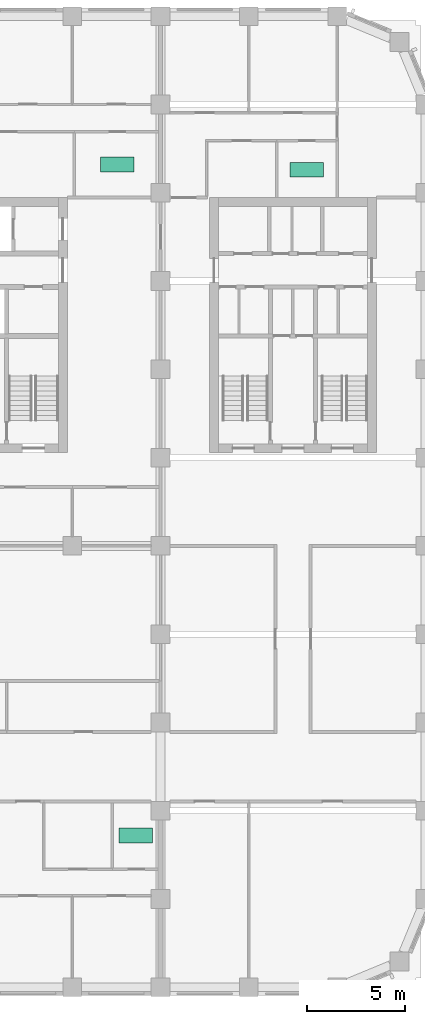
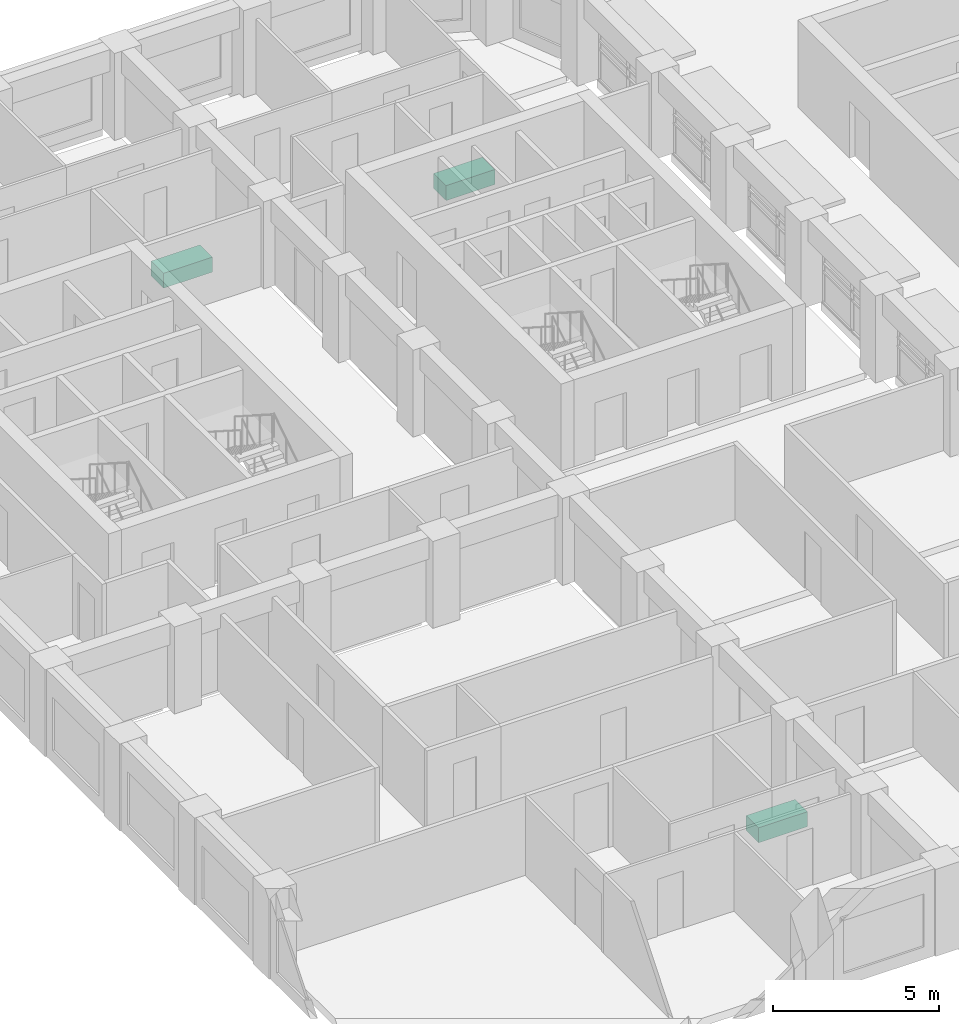
# One storey, part 15 of 15: 3 sanitary terminals.
"""IFC4 building model written with IfcOpenShell, lengths in metres."""

from ifc_helpers import new_model, si_unit, direction, frame, origin, origin_2d, place, context, subcontext, project, spatial, rectangle, extrude, material, type_object, element, save


model = new_model("IFC4")

# Units and contexts
model_context = context("Model", 3, precision=1e-05, world=origin(), true_north=direction((0.0, 1.0)))
body_context = subcontext(model_context, "Body", "Model", "MODEL_VIEW")
ifc_project = project(units=[si_unit("LENGTHUNIT", "METRE"), si_unit("AREAUNIT", "SQUARE_METRE"), si_unit("VOLUMEUNIT", "CUBIC_METRE"), si_unit("PLANEANGLEUNIT", "RADIAN"), si_unit("MASSUNIT", "GRAM", prefix="KILO")], contexts=[model_context])

# Site, building, storey
site_placement = place(None, origin())
site = spatial("IfcSite", under=ifc_project, at=site_placement, CompositionType="ELEMENT")
building_placement = place(site_placement, origin())
building = spatial("IfcBuilding", under=site, at=building_placement, Name="Girih Gate Residences", CompositionType="ELEMENT")
storey_placement = place(building_placement, frame((0.0, 0.0, 176.300048828125)))
storey = spatial("IfcBuildingStorey", under=building, at=storey_placement, Name="L48", CompositionType="ELEMENT", Elevation=176.300048828125)

# Sanitary terminals
ifc_material = material(Name="Acrylic")
sanitary_terminal_type = type_object("IfcSanitaryTerminalType", Name="Bath 1700", PredefinedType="BATH", material=ifc_material)
for number, where, z_axis, x_axis, name in (
    (1, (16.740966796875, 7.739013671875, 0.0), (0.0, 0.0, 1.0), (1.0, 0.0, 0.0), "Bath 1700 L48"),
    (2, (15.785888671875, 41.94091796875, 0.0), (0.0, 0.0, 1.0), (1.0, 0.0, 0.0), "Bath 1700 L48"),
    (3, (25.4599609375, 41.6708984375, 0.0), (0.0, 0.0, 1.0), (1.0, 0.0, 0.0), "Bath 1700 L48"),
):
    element("IfcSanitaryTerminal", number, at=place(storey_placement, frame(where, z_axis=z_axis, x_axis=x_axis)), inside=storey, type_object=sanitary_terminal_type, Name=name, PredefinedType="BATH", context=body_context, shape_type="SweptSolid", body=[
        extrude(rectangle(XDim=1.699951171875, YDim=0.75, at=origin_2d()), origin(), (0.0, 0.0, 1.0), 0.550048828125),
    ])

save(model, "model.ifc")
